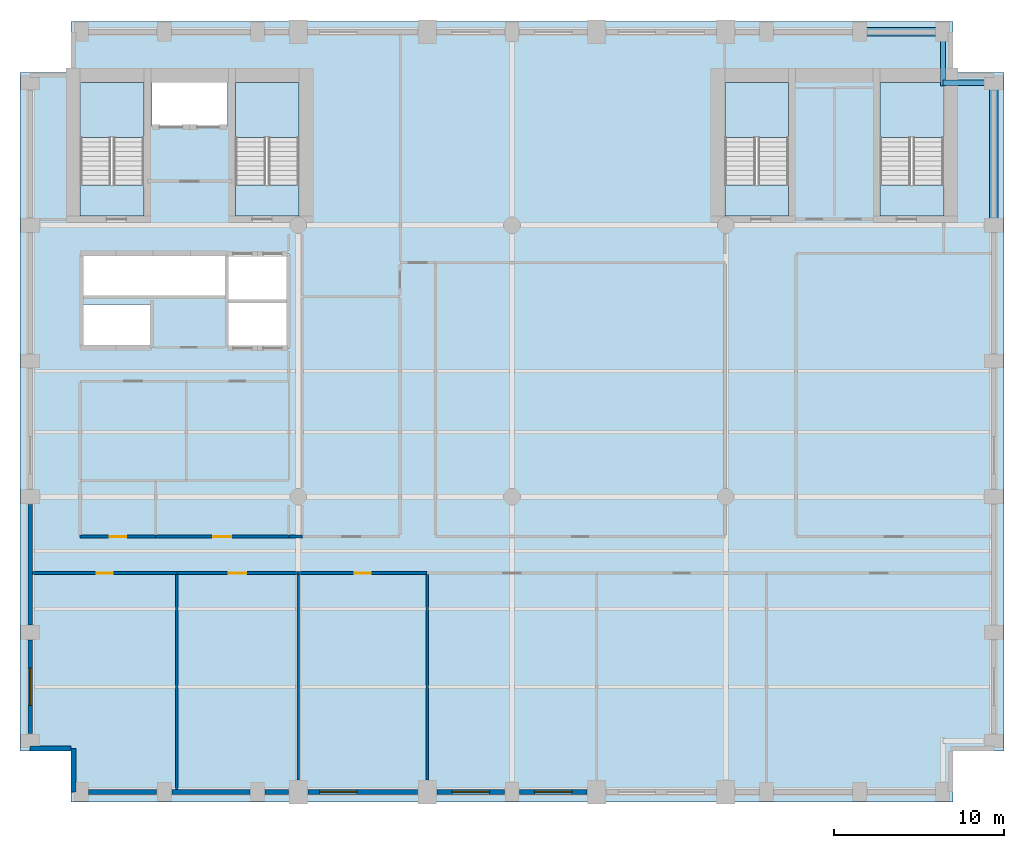
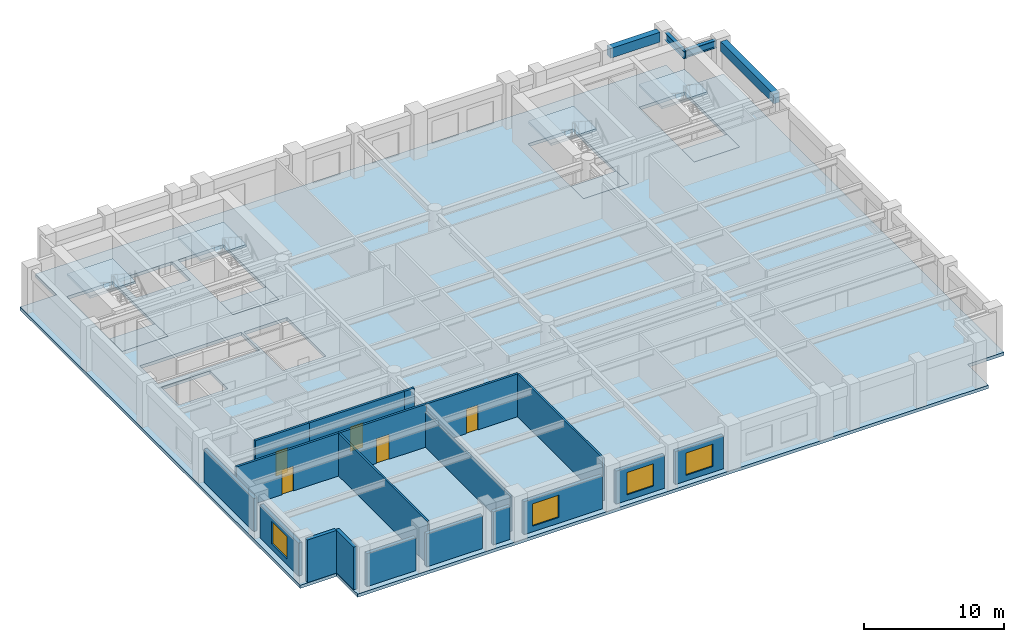
# One storey, part 2 of 8: 19 walls, 9 slabs, 5 doors, 4 beams, 4 windows, 9 openings, 4 elements without a shape of their own.
"""IFC4 building model written with IfcOpenShell, lengths in metres."""

import ifcopenshell
import ifcopenshell.guid

model = None  # the IFC model being written
_history = None  # IfcOwnerHistory: only IFC2X3 demands one
_inside = {}  # id of a spatial element -> (the spatial element, [elements in it])
_under = {}  # id of a project, library or spatial element -> (it, [spatial elements below it])
_declared = {}  # id of a project -> (the project, [libraries it declares])
_typed = {}  # id of a type object -> (the type object, [elements of that type])
_made_of = {}  # id of a material, layer set ... -> (it, [elements and type objects made of it])


def new_model(schema):
    """Start an empty IFC model of exactly this schema.

    Asked for "IFC4X3", IfcOpenShell would pick the latest addendum, in which some entities
    have other attributes; the version numbers below select the first issue.
    IFC2X3 requires an IfcOwnerHistory on every rooted entity: one is made here for all.
    """
    global model, _history
    if schema == "IFC4X3":
        model = ifcopenshell.file(schema_version=(4, 3, 0, 0))
    else:
        model = ifcopenshell.file(schema=schema)
    _inside.clear()
    _under.clear()
    _declared.clear()
    _typed.clear()
    _made_of.clear()
    _history = None
    if model.schema == "IFC2X3":
        org = make("IfcOrganization", Name="unknown")
        user = make(
            "IfcPersonAndOrganization",
            ThePerson=make("IfcPerson", FamilyName="unknown"),
            TheOrganization=org,
        )
        app = make(
            "IfcApplication",
            ApplicationDeveloper=org,
            Version="unknown",
            ApplicationFullName="unknown",
            ApplicationIdentifier="unknown",
        )
        _history = make(
            "IfcOwnerHistory",
            OwningUser=user,
            OwningApplication=app,
            ChangeAction="ADDED",
            CreationDate=0,
        )
    return model


def make(cls, **values):
    """One entity of the class cls with the attributes given. An attribute that is None is left unset."""
    return model.create_entity(
        cls, **{name: value for name, value in values.items() if value is not None}
    )


def rooted(cls, **values):
    """An entity with a GlobalId (a new one), such as an element, a storey or a relation."""
    return make(cls, GlobalId=ifcopenshell.guid.new(), OwnerHistory=_history, **values)


def si_unit(unit_type, name, prefix=None):
    """IfcSIUnit, for example si_unit("LENGTHUNIT", "METRE", prefix="MILLI")."""
    return make("IfcSIUnit", UnitType=unit_type, Prefix=prefix, Name=name)


def assignment(units):
    """IfcUnitAssignment: the units of a project."""
    return None if units is None else make("IfcUnitAssignment", Units=units)


def point(xyz):
    """IfcCartesianPoint."""
    return None if xyz is None else make("IfcCartesianPoint", Coordinates=xyz)


def direction(xyz):
    """IfcDirection."""
    return None if xyz is None else make("IfcDirection", DirectionRatios=xyz)


def frame(location, z_axis=None, x_axis=None):
    """IfcAxis2Placement3D, a coordinate frame: its origin and axes. An axis left out is left unset."""
    return make(
        "IfcAxis2Placement3D",
        Location=point(location),
        Axis=direction(z_axis),
        RefDirection=direction(x_axis),
    )


def frame_2d(location, x_axis=None):
    """IfcAxis2Placement2D, a coordinate frame in the plane: its origin and x axis."""
    return make(
        "IfcAxis2Placement2D", Location=point(location), RefDirection=direction(x_axis)
    )


def origin():
    """The frame at (0, 0, 0) with its axes left unset."""
    return frame((0.0, 0.0, 0.0))


def origin_2d():
    """The frame at (0, 0) in the plane with its x axis left unset."""
    return frame_2d((0.0, 0.0))


def place(relative_to, where):
    """IfcLocalPlacement: puts the frame where relative to a parent placement (None: the world)."""
    return make(
        "IfcLocalPlacement", PlacementRelTo=relative_to, RelativePlacement=where
    )


def context(
    kind, dimensions, precision=None, world=None, true_north=None, identifier=None
):
    """IfcGeometricRepresentationContext, for example the 3D "Model" context."""
    return make(
        "IfcGeometricRepresentationContext",
        ContextIdentifier=identifier,
        ContextType=kind,
        CoordinateSpaceDimension=dimensions,
        Precision=precision,
        WorldCoordinateSystem=world,
        TrueNorth=true_north,
    )


def subcontext(parent, identifier, kind, view, scale=None):
    """IfcGeometricRepresentationSubContext, for example "Body" below "Model"."""
    return make(
        "IfcGeometricRepresentationSubContext",
        ContextIdentifier=identifier,
        ContextType=kind,
        ParentContext=parent,
        TargetScale=scale,
        TargetView=view,
    )


def project(units=None, contexts=None):
    """IfcProject with its units and contexts."""
    return rooted(
        "IfcProject",
        Name="project",
        RepresentationContexts=contexts,
        UnitsInContext=assignment(units),
    )


def spatial(cls, under=None, at=None, **own):
    """A site, building, storey or space (cls), placed at a placement, below another one or the project."""
    s = rooted(cls, ObjectPlacement=at, **own)
    if under is not None:
        _under.setdefault(under.id(), (under, []))[1].append(s)
    return s


def polyline(points):
    """IfcPolyline through the points."""
    return make("IfcPolyline", Points=[point(p) for p in points])


def profile(cls, at=None, kind="AREA", **sizes):
    """A parametric profile (cls). Its sizes go by their IFC names, for example OverallWidth=200.0."""
    return make(cls, ProfileType=kind, Position=at, **sizes)


def rectangle(**sizes):
    """IfcRectangleProfileDef."""
    return profile("IfcRectangleProfileDef", **sizes)


def i_section(**sizes):
    """IfcIShapeProfileDef."""
    return profile("IfcIShapeProfileDef", **sizes)


def outline(outer, holes=None, kind="AREA"):
    """IfcArbitraryClosedProfileDef: a profile drawn as a closed curve; with holes, ...WithVoids."""
    if holes is None:
        return make("IfcArbitraryClosedProfileDef", ProfileType=kind, OuterCurve=outer)
    return make(
        "IfcArbitraryProfileDefWithVoids",
        ProfileType=kind,
        OuterCurve=outer,
        InnerCurves=holes,
    )


def extrude(swept, where, along, depth):
    """IfcExtrudedAreaSolid: the profile swept, set in the frame where, extruded along a direction by depth."""
    return make(
        "IfcExtrudedAreaSolid",
        SweptArea=swept,
        Position=where,
        ExtrudedDirection=direction(along),
        Depth=depth,
    )


def shape(context_of_items, identifier, shape_type, items):
    """IfcShapeRepresentation: the items that make up one representation, for example the "Body"."""
    return make(
        "IfcShapeRepresentation",
        ContextOfItems=context_of_items,
        RepresentationIdentifier=identifier,
        RepresentationType=shape_type,
        Items=items,
    )


def material(Name=None, Category=None):
    """IfcMaterial."""
    return make("IfcMaterial", Name=Name, Category=Category)


def layer(
    of_material, thickness, ventilated=None, Name=None, Category=None, Priority=None
):
    """IfcMaterialLayer: one layer of a wall or slab, of a material (None: an air gap)."""
    return make(
        "IfcMaterialLayer",
        Material=of_material,
        LayerThickness=thickness,
        IsVentilated=ventilated,
        Name=Name,
        Category=Category,
        Priority=Priority,
    )


def layer_set(layers, Name=None):
    """IfcMaterialLayerSet."""
    return make("IfcMaterialLayerSet", MaterialLayers=layers, LayerSetName=Name)


def material_profile(
    of_material, cross_section, Name=None, Category=None, Priority=None
):
    """IfcMaterialProfile: a cross section and its material."""
    return make(
        "IfcMaterialProfile",
        Name=Name,
        Material=of_material,
        Profile=cross_section,
        Priority=Priority,
        Category=Category,
    )


def profile_set(profiles, Name=None, composite=None):
    """IfcMaterialProfileSet."""
    return make(
        "IfcMaterialProfileSet",
        Name=Name,
        MaterialProfiles=profiles,
        CompositeProfile=composite,
    )


def made_of(thing, what):
    """Note that an element or type object is made of a material, layer set ...; save() writes the relation."""
    if what is not None:
        _made_of.setdefault(what.id(), (what, []))[1].append(thing)
    return thing


def type_object(cls, material=None, **own):
    """A type object (cls), such as IfcWallType, which elements share."""
    return made_of(rooted(cls, **own), material)


def element(
    cls,
    number,
    at=None,
    inside=None,
    cuts=None,
    type_object=None,
    material=None,
    context=None,
    identifier="Body",
    shape_type=None,
    held_by="IfcProductDefinitionShape",
    body=None,
    shapes=None,
    **own,
):
    """One element of the class cls, such as IfcWall. Its Tag is "e" and its number.

    at: its placement. inside: the storey or other place that contains it. cuts: it is an
    opening in that element (IfcRelVoidsElement). A single representation is given by context,
    identifier, shape_type and body (its items); several are given by shapes. held_by: the class
    of the entity that holds the representations. save() writes the other relations.
    """
    e = rooted(cls, Tag="e%d" % number, ObjectPlacement=at, **own)
    if body is not None:
        shapes = [shape(context, identifier, shape_type, body)]
    if shapes is not None:
        e.Representation = make(held_by, Representations=shapes)
    if inside is not None:
        _inside.setdefault(inside.id(), (inside, []))[1].append(e)
    if cuts is not None:
        rooted(
            "IfcRelVoidsElement", RelatingBuildingElement=cuts, RelatedOpeningElement=e
        )
    if type_object is not None:
        _typed.setdefault(type_object.id(), (type_object, []))[1].append(e)
    return made_of(e, material)


def fill(opening, filler):
    """IfcRelFillsElement: the door or window that sits in an opening."""
    return rooted(
        "IfcRelFillsElement",
        RelatingOpeningElement=opening,
        RelatedBuildingElement=filler,
    )


def aggregate(whole, parts):
    """IfcRelAggregates: a whole, such as a stair, and the parts it consists of."""
    return rooted("IfcRelAggregates", RelatingObject=whole, RelatedObjects=parts)


def save(model, path):
    """Write the relations noted so far, then the file.

    IfcRelAggregates (storeys below a building ...), IfcRelContainedInSpatialStructure (elements
    in a storey), IfcRelDefinesByType, IfcRelAssociatesMaterial and IfcRelDeclares: one each for
    every whole, place, type object, material and project.
    """
    for whole, parts in _under.values():
        aggregate(whole, parts)
    for where, things in _inside.values():
        rooted(
            "IfcRelContainedInSpatialStructure",
            RelatedElements=things,
            RelatingStructure=where,
        )
    for kind, things in _typed.values():
        rooted("IfcRelDefinesByType", RelatedObjects=things, RelatingType=kind)
    for what, things in _made_of.values():
        rooted("IfcRelAssociatesMaterial", RelatedObjects=things, RelatingMaterial=what)
    for by, libraries in _declared.values():
        rooted("IfcRelDeclares", RelatingContext=by, RelatedDefinitions=libraries)
    model.write(path)


model = new_model("IFC4")

# Units and contexts
model_context = context("Model", 3, precision=1e-05, world=origin(), true_north=direction((0.0, 1.0)))
body_context = subcontext(model_context, "Body", "Model", "MODEL_VIEW")
ifc_project = project(units=[si_unit("LENGTHUNIT", "METRE"), si_unit("AREAUNIT", "SQUARE_METRE"), si_unit("VOLUMEUNIT", "CUBIC_METRE"), si_unit("PLANEANGLEUNIT", "RADIAN"), si_unit("MASSUNIT", "GRAM", prefix="KILO")], contexts=[model_context])

# Site, building, storey
site_placement = place(None, origin())
site = spatial("IfcSite", under=ifc_project, at=site_placement, CompositionType="ELEMENT")
building_placement = place(site_placement, origin())
building = spatial("IfcBuilding", under=site, at=building_placement, Name="Sulina Concourse Tower", CompositionType="ELEMENT")
storey_placement = place(building_placement, frame((0.0, 0.0, 140.60009765625)))
storey = spatial("IfcBuildingStorey", under=building, at=storey_placement, Name="L34", CompositionType="ELEMENT", Elevation=140.60009765625)

# Beams
ifc_material_1 = material(Name="Steel S355", Category="steel")
ifc_material_profile_1 = material_profile(ifc_material_1, i_section(OverallWidth=0.300048828125, OverallDepth=0.64990234375, WebThickness=0.01611328125, FlangeThickness=0.031005859375, at=origin_2d()), Name="HE 650 B")
ifc_profile_set_1 = profile_set([ifc_material_profile_1], Name="Steel S355")
beam_type_1 = type_object("IfcBeamType", Name="Floor Primary Girder Zone 2 HE650B", PredefinedType="BEAM", material=ifc_profile_set_1)
beam_1_placement = place(storey_placement, frame((54.39990234375, 42.39990234375, 3.39990234375), z_axis=(1.0, 0.0, 0.0), x_axis=(0.0, 1.0, 0.0)))
element("IfcBeam", 1, at=beam_1_placement, inside=storey, type_object=beam_type_1, Name="TIE-NE-L34", PredefinedType="BEAM", context=body_context, shape_type="SweptSolid", body=[
    extrude(i_section(OverallWidth=0.300048828125, OverallDepth=0.64990234375, WebThickness=0.01611328125, FlangeThickness=0.031005859375, at=origin_2d()), origin(), (0.0, 0.0, 1.0), 2.59521484375),
])
beam_2_placement = place(storey_placement, frame((54.39990234375, 42.199951171875, 3.39990234375), z_axis=(0.0, 1.0, 0.0), x_axis=(-1.0, 0.0, 0.0)))
element("IfcBeam", 2, at=beam_2_placement, inside=storey, type_object=beam_type_1, Name="TIE-NEN-L34", PredefinedType="BEAM", context=body_context, shape_type="SweptSolid", body=[
    extrude(i_section(OverallWidth=0.300048828125, OverallDepth=0.64990234375, WebThickness=0.01611328125, FlangeThickness=0.031005859375, at=origin_2d()), origin(), (0.0, 0.0, 1.0), 2.795166015625),
])
ifc_material_2 = material(Name="Precast concrete C50/60", Category="concrete")
ifc_material_profile_2 = material_profile(ifc_material_2, rectangle(XDim=0.5, YDim=0.85009765625, at=origin_2d()), Name="RC 500x850")
ifc_profile_set_2 = profile_set([ifc_material_profile_2], Name="Precast concrete C50/60")
beam_type_2 = type_object("IfcBeamType", Name="Lower Precast Spandrel Edge Beam 500x850", PredefinedType="BEAM", material=ifc_profile_set_2)
beam_3_placement = place(storey_placement, frame((49.905029296875, 45.39990234375, 3.2998046875), z_axis=(1.0, 0.0, 0.0), x_axis=(0.0, 1.0, 0.0)))
element("IfcBeam", 3, at=beam_3_placement, inside=storey, type_object=beam_type_2, Name="SP-N10-L34", PredefinedType="BEAM", context=body_context, shape_type="SweptSolid", body=[
    extrude(rectangle(XDim=0.5, YDim=0.85009765625, at=origin_2d()), origin(), (0.0, 0.0, 1.0), 4.090087890625),
])
beam_4_placement = place(storey_placement, frame((57.39990234375, 34.405029296875, 3.2998046875), z_axis=(0.0, 1.0, 0.0), x_axis=(-1.0, 0.0, 0.0)))
element("IfcBeam", 4, at=beam_4_placement, inside=storey, type_object=beam_type_2, Name="SP-E5-L34", PredefinedType="BEAM", context=body_context, shape_type="SweptSolid", body=[
    extrude(rectangle(XDim=0.5, YDim=0.85009765625, at=origin_2d()), origin(), (0.0, 0.0, 1.0), 7.590087890625),
])

# Slabs
ifc_material_3 = material(Name="Concrete C50/60", Category="concrete")
ifc_layer_1 = layer(ifc_material_3, 0.27490234375)
ifc_layer_set_1 = layer_set([ifc_layer_1], Name="Concrete C50/60")
slab_type_1 = type_object("IfcSlabType", Name="Mid-Rise Composite Floor Slab 275mm", PredefinedType="FLOOR", material=ifc_layer_set_1)
slab_1_placement = place(storey_placement, frame((0.0, 0.0, -0.275146484375)))
element("IfcSlab", 5, at=slab_1_placement, inside=storey, type_object=slab_type_1, Name="L34 structural floor slab", PredefinedType="FLOOR", context=body_context, shape_type="SweptSolid", body=[
    extrude(outline(polyline([(3.0, 0.0), (55.0, 0.0), (55.0, 3.0), (58.0, 3.0), (58.0, 43.0), (55.0, 43.0), (55.0, 46.0), (3.0, 46.0), (3.0, 43.0), (0.0, 43.0), (0.0, 3.0), (3.0, 3.0), (3.0, 0.0)]), holes=[polyline([(7.31005859375, 34.550048828125), (7.31005859375, 42.429931640625), (3.550048828125, 42.429931640625), (3.550048828125, 34.550048828125), (7.31005859375, 34.550048828125)]), polyline([(16.449951171875, 34.550048828125), (16.449951171875, 42.429931640625), (12.68994140625, 42.429931640625), (12.68994140625, 34.550048828125), (16.449951171875, 34.550048828125)]), polyline([(45.31005859375, 34.550048828125), (45.31005859375, 42.429931640625), (41.550048828125, 42.429931640625), (41.550048828125, 34.550048828125), (45.31005859375, 34.550048828125)]), polyline([(54.449951171875, 34.550048828125), (54.449951171875, 42.429931640625), (50.68994140625, 42.429931640625), (50.68994140625, 34.550048828125), (54.449951171875, 34.550048828125)]), polyline([(7.780029296875, 39.830078125), (12.219970703125, 39.830078125), (12.219970703125, 42.449951171875), (7.780029296875, 42.449951171875), (7.780029296875, 39.830078125)]), polyline([(3.739990234375, 26.780029296875), (7.77001953125, 26.780029296875), (7.77001953125, 29.320068359375), (3.739990234375, 29.320068359375), (3.739990234375, 26.780029296875)]), polyline([(3.739990234375, 29.780029296875), (12.10009765625, 29.780029296875), (12.10009765625, 32.3701171875), (3.739990234375, 32.3701171875), (3.739990234375, 29.780029296875)]), polyline([(12.280029296875, 26.780029296875), (15.85009765625, 26.780029296875), (15.85009765625, 32.320068359375), (12.280029296875, 32.320068359375), (12.280029296875, 26.780029296875)])]), origin(), (0.0, 0.0, 1.0), 0.275146484375),
])
ifc_material_4 = material(Name="Concrete C50/60", Category="concrete")
ifc_layer_2 = layer(ifc_material_4, 0.199951171875)
ifc_layer_set_2 = layer_set([ifc_layer_2], Name="Concrete C50/60")
slab_type_2 = type_object("IfcSlabType", Name="Primary Core Stair Landing Slab 200mm", PredefinedType="LANDING", material=ifc_layer_set_2)
slab_2_placement = place(storey_placement, frame((0.0, 0.0, -0.2001953125)))
element("IfcSlab", 6, at=slab_2_placement, inside=storey, type_object=slab_type_2, Name="L34 ST-1 floor landing slab", PredefinedType="LANDING", context=body_context, shape_type="SweptSolid", body=[
    extrude(outline(polyline([(7.31005859375, 34.550048828125), (7.31005859375, 36.375), (3.550048828125, 36.375), (3.550048828125, 34.550048828125), (7.31005859375, 34.550048828125)])), origin(), (0.0, 0.0, 1.0), 0.2001953125),
])
slab_3_placement = place(storey_placement, frame((0.0, 0.0, -0.2001953125)))
element("IfcSlab", 7, at=slab_3_placement, inside=storey, type_object=slab_type_2, Name="L34 ST-2 floor landing slab", PredefinedType="LANDING", context=body_context, shape_type="SweptSolid", body=[
    extrude(outline(polyline([(16.449951171875, 34.550048828125), (16.449951171875, 36.375), (12.68994140625, 36.375), (12.68994140625, 34.550048828125), (16.449951171875, 34.550048828125)])), origin(), (0.0, 0.0, 1.0), 0.2001953125),
])
slab_4_placement = place(storey_placement, frame((0.0, 0.0, -0.2001953125)))
element("IfcSlab", 8, at=slab_4_placement, inside=storey, type_object=slab_type_2, Name="L34 ST-3 floor landing slab", PredefinedType="LANDING", context=body_context, shape_type="SweptSolid", body=[
    extrude(outline(polyline([(45.31005859375, 34.550048828125), (45.31005859375, 36.375), (41.550048828125, 36.375), (41.550048828125, 34.550048828125), (45.31005859375, 34.550048828125)])), origin(), (0.0, 0.0, 1.0), 0.2001953125),
])
slab_5_placement = place(storey_placement, frame((0.0, 0.0, -0.2001953125)))
element("IfcSlab", 9, at=slab_5_placement, inside=storey, type_object=slab_type_2, Name="L34 ST-4 floor landing slab", PredefinedType="LANDING", context=body_context, shape_type="SweptSolid", body=[
    extrude(outline(polyline([(54.449951171875, 34.550048828125), (54.449951171875, 36.375), (50.68994140625, 36.375), (50.68994140625, 34.550048828125), (54.449951171875, 34.550048828125)])), origin(), (0.0, 0.0, 1.0), 0.2001953125),
])

# Stair, slab
ifc_material_5 = material(Name="Concrete C50/60", Category="concrete")
stair_type_1 = type_object("IfcStairType", Name="Primary Core Dog-Leg Exit Stair 1800mm", PredefinedType="HALF_TURN_STAIR", material=ifc_material_5)
stair_1_placement = place(storey_placement, origin())
stair_1 = element("IfcStair", 10, at=stair_1_placement, inside=storey, type_object=stair_type_1, Name="L34 ST-1", PredefinedType="HALF_TURN_STAIR")
slab_6_placement = place(storey_placement, frame((0.0, 0.0, 1.7998046875)))
slab_6 = element("IfcSlab", 11, at=slab_6_placement, type_object=slab_type_2, Name="ST-1 landing 1", PredefinedType="LANDING", context=body_context, shape_type="SweptSolid", body=[
    extrude(outline(polyline([(7.304931640625, 39.175048828125), (7.304931640625, 42.425048828125), (3.554931640625, 42.425048828125), (3.554931640625, 39.175048828125), (7.304931640625, 39.175048828125)])), origin(), (0.0, 0.0, 1.0), 0.2001953125),
])
aggregate(stair_1, [slab_6])

stair_2_placement = place(storey_placement, origin())
stair_2 = element("IfcStair", 12, at=stair_2_placement, inside=storey, type_object=stair_type_1, Name="L34 ST-2", PredefinedType="HALF_TURN_STAIR")
slab_7_placement = place(storey_placement, frame((0.0, 0.0, 1.7998046875)))
slab_7 = element("IfcSlab", 13, at=slab_7_placement, type_object=slab_type_2, Name="ST-2 landing 1", PredefinedType="LANDING", context=body_context, shape_type="SweptSolid", body=[
    extrude(outline(polyline([(16.445068359375, 39.175048828125), (16.445068359375, 42.425048828125), (12.695068359375, 42.425048828125), (12.695068359375, 39.175048828125), (16.445068359375, 39.175048828125)])), origin(), (0.0, 0.0, 1.0), 0.2001953125),
])
aggregate(stair_2, [slab_7])

ifc_material_6 = material(Name="Concrete C50/60", Category="concrete")
stair_type_2 = type_object("IfcStairType", Name="Portal & Podium Core Exit Stair 1820mm", PredefinedType="HALF_TURN_STAIR", material=ifc_material_6)
stair_3_placement = place(storey_placement, origin())
stair_3 = element("IfcStair", 14, at=stair_3_placement, inside=storey, type_object=stair_type_2, Name="L34 ST-3", PredefinedType="HALF_TURN_STAIR")
slab_8_placement = place(storey_placement, frame((0.0, 0.0, 1.7998046875)))
slab_8 = element("IfcSlab", 15, at=slab_8_placement, type_object=slab_type_2, Name="ST-3 landing 1", PredefinedType="LANDING", context=body_context, shape_type="SweptSolid", body=[
    extrude(outline(polyline([(45.304931640625, 39.175048828125), (45.304931640625, 42.425048828125), (41.554931640625, 42.425048828125), (41.554931640625, 39.175048828125), (45.304931640625, 39.175048828125)])), origin(), (0.0, 0.0, 1.0), 0.2001953125),
])
aggregate(stair_3, [slab_8])

stair_4_placement = place(storey_placement, origin())
stair_4 = element("IfcStair", 16, at=stair_4_placement, inside=storey, type_object=stair_type_2, Name="L34 ST-4", PredefinedType="HALF_TURN_STAIR")
slab_9_placement = place(storey_placement, frame((0.0, 0.0, 1.7998046875)))
slab_9 = element("IfcSlab", 17, at=slab_9_placement, type_object=slab_type_2, Name="ST-4 landing 1", PredefinedType="LANDING", context=body_context, shape_type="SweptSolid", body=[
    extrude(outline(polyline([(54.445068359375, 39.175048828125), (54.445068359375, 42.425048828125), (50.695068359375, 42.425048828125), (50.695068359375, 39.175048828125), (54.445068359375, 39.175048828125)])), origin(), (0.0, 0.0, 1.0), 0.2001953125),
])
aggregate(stair_4, [slab_9])

# Walls
ifc_material_7 = material(Name="Gypsum board on steel stud", Category="steel")
ifc_layer_3 = layer(ifc_material_7, 0.14990234375)
ifc_layer_set_3 = layer_set([ifc_layer_3], Name="Gypsum board on steel stud")
wall_type_1 = type_object("IfcWallType", Name="Inter-Tenancy Acoustic Partition 150mm", PredefinedType="PARTITIONING", material=ifc_layer_set_3)
wall_1_placement = place(storey_placement, frame((9.239990234375, 0.739990234375, 0.0), z_axis=(0.0, 0.0, 1.0), x_axis=(0.0, 1.0, 0.0)))
element("IfcWall", 18, at=wall_1_placement, inside=storey, type_object=wall_type_1, Name="L34 interior partition 030", PredefinedType="PARTITIONING", context=body_context, shape_type="SweptSolid", body=[
    extrude(rectangle(XDim=12.669921875, YDim=0.14990234375, at=frame_2d((6.3349609375, 0.0))), origin(), (0.0, 0.0, 1.0), 3.724853515625),
])
wall_2_placement = place(storey_placement, frame((16.39990234375, 1.300048828125, 0.0), z_axis=(0.0, 0.0, 1.0), x_axis=(0.0, 1.0, 0.0)))
element("IfcWall", 19, at=wall_2_placement, inside=storey, type_object=wall_type_1, Name="L34 interior partition 036", PredefinedType="PARTITIONING", context=body_context, shape_type="SweptSolid", body=[
    extrude(rectangle(XDim=12.10986328125, YDim=0.14990234375, at=frame_2d((6.054931640625, 0.0))), origin(), (0.0, 0.0, 1.0), 3.06982421875),
])
wall_3_placement = place(storey_placement, frame((24.0, 1.300048828125, 0.0), z_axis=(0.0, 0.0, 1.0), x_axis=(0.0, 1.0, 0.0)))
element("IfcWall", 20, at=wall_3_placement, inside=storey, type_object=wall_type_1, Name="L34 interior partition 043", PredefinedType="PARTITIONING", context=body_context, shape_type="SweptSolid", body=[
    extrude(rectangle(XDim=12.10986328125, YDim=0.14990234375, at=frame_2d((6.054931640625, 0.0))), origin(), (0.0, 0.0, 1.0), 3.724853515625),
])

# Wall, opening, door
ifc_material_8 = material(Name="Gypsum board on steel stud", Category="steel")
ifc_layer_4 = layer(ifc_material_8, 0.179931640625)
ifc_layer_set_4 = layer_set([ifc_layer_4], Name="Gypsum board on steel stud")
wall_type_2 = type_object("IfcWallType", Name="Protected Corridor & Riser Partition 180mm", PredefinedType="PARTITIONING", material=ifc_layer_set_4)
wall_4_placement = place(storey_placement, frame((0.739990234375, 13.5, 0.0), z_axis=(0.0, 0.0, 1.0), x_axis=(1.0, 0.0, 0.0)))
wall_4 = element("IfcWall", 21, at=wall_4_placement, inside=storey, type_object=wall_type_2, Name="L34 interior partition 001", PredefinedType="PARTITIONING", context=body_context, shape_type="SweptSolid", body=[
    extrude(rectangle(XDim=8.5, YDim=0.179931640625, at=frame_2d((4.25, 0.0))), origin(), (0.0, 0.0, 1.0), 3.724853515625),
])
opening_1_placement = place(wall_4_placement, frame((3.77490234375, 0.0, 0.0)))
opening_1 = element("IfcOpeningElement", 22, at=opening_1_placement, cuts=wall_4, Name="Opening DR-19", PredefinedType="OPENING", context=body_context, shape_type="SweptSolid", body=[
    extrude(rectangle(XDim=0.949951171875, YDim=2.14990234375, at=frame_2d((0.47509765625, 1.074951171875))), frame((0.0, 0.099853515625, 0.0), z_axis=(0.0, -1.0, 0.0), x_axis=(1.0, 0.0, 0.0)), (0.0, 0.0, 1.0), 0.199951171875),
])
ifc_material_9 = material(Name="Oak-veneered acoustic timber leaf", Category="wood")
ifc_layer_5 = layer(ifc_material_9, 0.050048828125)
ifc_layer_set_5 = layer_set([ifc_layer_5], Name="Oak-veneered acoustic timber leaf")
door_type_1 = type_object("IfcDoorType", Name="Cellular Office & Meeting Door 950x2150", OperationType="NOTDEFINED", PredefinedType="DOOR", material=ifc_layer_set_5)
door_1_placement = place(opening_1_placement, origin())
door_1 = element("IfcDoor", 23, at=door_1_placement, inside=storey, type_object=door_type_1, Name="L34 interior door L34-S01", OperationType="SINGLE_SWING_RIGHT", OverallHeight=2.14990234375, OverallWidth=0.949951171875, PredefinedType="DOOR", context=body_context, shape_type="SweptSolid", body=[
    extrude(rectangle(XDim=0.949951171875, YDim=2.14990234375, at=frame_2d((0.47509765625, 1.074951171875))), frame((0.0, 0.02490234375, 0.0), z_axis=(0.0, -1.0, 0.0), x_axis=(1.0, 0.0, 0.0)), (0.0, 0.0, 1.0), 0.050048828125),
])
fill(opening_1, door_1)

wall_5_placement = place(storey_placement, frame((9.239990234375, 13.5, 0.0), z_axis=(0.0, 0.0, 1.0), x_axis=(1.0, 0.0, 0.0)))
wall_5 = element("IfcWall", 24, at=wall_5_placement, inside=storey, type_object=wall_type_2, Name="L34 interior partition 002", PredefinedType="PARTITIONING", context=body_context, shape_type="SweptSolid", body=[
    extrude(rectangle(XDim=7.159912109375, YDim=0.179931640625, at=frame_2d((3.580078125, 0.0))), origin(), (0.0, 0.0, 1.0), 3.724853515625),
])
opening_2_placement = place(wall_5_placement, frame((3.054931640625, 0.0, 0.0)))
opening_2 = element("IfcOpeningElement", 25, at=opening_2_placement, cuts=wall_5, Name="Opening DR-37", PredefinedType="OPENING", context=body_context, shape_type="SweptSolid", body=[
    extrude(rectangle(XDim=1.050048828125, YDim=2.14990234375, at=frame_2d((0.52490234375, 1.074951171875))), frame((0.0, 0.099853515625, 0.0), z_axis=(0.0, -1.0, 0.0), x_axis=(1.0, 0.0, 0.0)), (0.0, 0.0, 1.0), 0.199951171875),
])
ifc_material_10 = material(Name="Oak-veneered fire door leaf")
ifc_layer_6 = layer(ifc_material_10, 0.050048828125)
ifc_layer_set_6 = layer_set([ifc_layer_6], Name="Oak-veneered fire door leaf")
door_type_2 = type_object("IfcDoorType", Name="Tenant Suite Entrance Fire Door 1050x2150", OperationType="NOTDEFINED", PredefinedType="DOOR", material=ifc_layer_set_6)
door_2_placement = place(opening_2_placement, origin())
door_2 = element("IfcDoor", 26, at=door_2_placement, inside=storey, type_object=door_type_2, Name="L34 interior door L34-S02", OperationType="SINGLE_SWING_LEFT", OverallHeight=2.14990234375, OverallWidth=1.050048828125, PredefinedType="DOOR", context=body_context, shape_type="SweptSolid", body=[
    extrude(rectangle(XDim=1.050048828125, YDim=2.14990234375, at=frame_2d((0.52490234375, 1.074951171875))), frame((0.0, 0.02490234375, 0.0), z_axis=(0.0, -1.0, 0.0), x_axis=(1.0, 0.0, 0.0)), (0.0, 0.0, 1.0), 0.050048828125),
])
fill(opening_2, door_2)

wall_6_placement = place(storey_placement, frame((16.39990234375, 13.5, 0.0), z_axis=(0.0, 0.0, 1.0), x_axis=(1.0, 0.0, 0.0)))
wall_6 = element("IfcWall", 27, at=wall_6_placement, inside=storey, type_object=wall_type_2, Name="L34 interior partition 003", PredefinedType="PARTITIONING", context=body_context, shape_type="SweptSolid", body=[
    extrude(rectangle(XDim=7.60009765625, YDim=0.179931640625, at=frame_2d((3.800048828125, 0.0))), origin(), (0.0, 0.0, 1.0), 3.724853515625),
])
opening_3_placement = place(wall_6_placement, frame((3.324951171875, 0.0, 0.0)))
opening_3 = element("IfcOpeningElement", 28, at=opening_3_placement, cuts=wall_6, Name="Opening DR-19", PredefinedType="OPENING", context=body_context, shape_type="SweptSolid", body=[
    extrude(rectangle(XDim=0.949951171875, YDim=2.14990234375, at=frame_2d((0.47509765625, 1.074951171875))), frame((0.0, 0.099853515625, 0.0), z_axis=(0.0, -1.0, 0.0), x_axis=(1.0, 0.0, 0.0)), (0.0, 0.0, 1.0), 0.199951171875),
])
door_3_placement = place(opening_3_placement, origin())
door_3 = element("IfcDoor", 29, at=door_3_placement, inside=storey, type_object=door_type_1, Name="L34 interior door L34-S03", OperationType="SINGLE_SWING_RIGHT", OverallHeight=2.14990234375, OverallWidth=0.949951171875, PredefinedType="DOOR", context=body_context, shape_type="SweptSolid", body=[
    extrude(rectangle(XDim=0.949951171875, YDim=2.14990234375, at=frame_2d((0.47509765625, 1.074951171875))), frame((0.0, 0.02490234375, 0.0), z_axis=(0.0, -1.0, 0.0), x_axis=(1.0, 0.0, 0.0)), (0.0, 0.0, 1.0), 0.050048828125),
])
fill(opening_3, door_3)

wall_7_placement = place(storey_placement, frame((3.550048828125, 15.64990234375, 0.0), z_axis=(0.0, 0.0, 1.0), x_axis=(1.0, 0.0, 0.0)))
wall_7 = element("IfcWall", 30, at=wall_7_placement, inside=storey, type_object=wall_type_2, Name="L34 interior partition 007", PredefinedType="PARTITIONING", context=body_context, shape_type="SweptSolid", body=[
    extrude(rectangle(XDim=4.449951171875, YDim=0.179931640625, at=frame_2d((2.22509765625, 0.0))), origin(), (0.0, 0.0, 1.0), 3.724853515625),
])
opening_4_placement = place(wall_7_placement, frame((1.75, 0.0, 0.0)))
opening_4 = element("IfcOpeningElement", 31, at=opening_4_placement, cuts=wall_7, Name="Opening DR-19", PredefinedType="OPENING", context=body_context, shape_type="SweptSolid", body=[
    extrude(rectangle(XDim=0.949951171875, YDim=2.14990234375, at=frame_2d((0.47509765625, 1.074951171875))), frame((0.0, 0.099853515625, 0.0), z_axis=(0.0, -1.0, 0.0), x_axis=(1.0, 0.0, 0.0)), (0.0, 0.0, 1.0), 0.199951171875),
])
door_4_placement = place(opening_4_placement, origin())
door_4 = element("IfcDoor", 32, at=door_4_placement, inside=storey, type_object=door_type_1, Name="L34 interior door L34-WSB-1", OperationType="SINGLE_SWING_RIGHT", OverallHeight=2.14990234375, OverallWidth=0.949951171875, PredefinedType="DOOR", context=body_context, shape_type="SweptSolid", body=[
    extrude(rectangle(XDim=0.949951171875, YDim=2.14990234375, at=frame_2d((0.47509765625, 1.074951171875))), frame((0.0, 0.02490234375, 0.0), z_axis=(0.0, -1.0, 0.0), x_axis=(1.0, 0.0, 0.0)), (0.0, 0.0, 1.0), 0.050048828125),
])
fill(opening_4, door_4)

wall_8_placement = place(storey_placement, frame((8.0, 15.64990234375, 0.0), z_axis=(0.0, 0.0, 1.0), x_axis=(1.0, 0.0, 0.0)))
wall_8 = element("IfcWall", 33, at=wall_8_placement, inside=storey, type_object=wall_type_2, Name="L34 interior partition 008", PredefinedType="PARTITIONING", context=body_context, shape_type="SweptSolid", body=[
    extrude(rectangle(XDim=7.85009765625, YDim=0.179931640625, at=frame_2d((3.925048828125, 0.0))), origin(), (0.0, 0.0, 1.0), 3.724853515625),
])
opening_5_placement = place(wall_8_placement, frame((3.39990234375, 0.0, 0.0)))
opening_5 = element("IfcOpeningElement", 34, at=opening_5_placement, cuts=wall_8, Name="Opening DR-37", PredefinedType="OPENING", context=body_context, shape_type="SweptSolid", body=[
    extrude(rectangle(XDim=1.050048828125, YDim=2.14990234375, at=frame_2d((0.52490234375, 1.074951171875))), frame((0.0, 0.099853515625, 0.0), z_axis=(0.0, -1.0, 0.0), x_axis=(1.0, 0.0, 0.0)), (0.0, 0.0, 1.0), 0.199951171875),
])
door_5_placement = place(opening_5_placement, origin())
door_5 = element("IfcDoor", 35, at=door_5_placement, inside=storey, type_object=door_type_2, Name="L34 interior door L34-WSB-2", OperationType="SINGLE_SWING_LEFT", OverallHeight=2.14990234375, OverallWidth=1.050048828125, PredefinedType="DOOR", context=body_context, shape_type="SweptSolid", body=[
    extrude(rectangle(XDim=1.050048828125, YDim=2.14990234375, at=frame_2d((0.52490234375, 1.074951171875))), frame((0.0, 0.02490234375, 0.0), z_axis=(0.0, -1.0, 0.0), x_axis=(1.0, 0.0, 0.0)), (0.0, 0.0, 1.0), 0.050048828125),
])
fill(opening_5, door_5)

# Walls
wall_9_placement = place(storey_placement, frame((15.85009765625, 15.64990234375, 0.0), z_axis=(0.0, 0.0, 1.0), x_axis=(1.0, 0.0, 0.0)))
element("IfcWall", 36, at=wall_9_placement, inside=storey, type_object=wall_type_2, Name="L34 interior partition 009", PredefinedType="PARTITIONING", context=body_context, shape_type="SweptSolid", body=[
    extrude(rectangle(XDim=0.7998046875, YDim=0.179931640625, at=frame_2d((0.39990234375, 0.0))), origin(), (0.0, 0.0, 1.0), 3.724853515625),
])
ifc_material_11 = material(Name="Precast concrete C50/60", Category="concrete")
ifc_layer_7 = layer(ifc_material_11, 0.280029296875)
ifc_layer_set_7 = layer_set([ifc_layer_7], Name="Precast concrete C50/60")
wall_type_3 = type_object("IfcWallType", Name="Typical Precast Masonry-Frame Facade Wall 280mm", PredefinedType="SOLIDWALL", material=ifc_layer_set_7)
wall_10_placement = place(storey_placement, frame((8.054931640625, 0.60009765625, 0.0), z_axis=(0.0, 0.0, 1.0), x_axis=(-1.0, 0.0, 0.0)))
element("IfcWall", 37, at=wall_10_placement, inside=storey, type_object=wall_type_3, Name="L34 exterior precast wall S1", PredefinedType="SOLIDWALL", context=body_context, shape_type="SweptSolid", body=[
    extrude(rectangle(XDim=4.010009765625, YDim=0.280029296875, at=frame_2d((2.0048828125, 0.0))), origin(), (0.0, 0.0, 1.0), 2.875),
])
wall_11_placement = place(storey_placement, frame((13.554931640625, 0.60009765625, 0.0), z_axis=(0.0, 0.0, 1.0), x_axis=(-1.0, 0.0, 0.0)))
element("IfcWall", 38, at=wall_11_placement, inside=storey, type_object=wall_type_3, Name="L34 exterior precast wall S2", PredefinedType="SOLIDWALL", context=body_context, shape_type="SweptSolid", body=[
    extrude(rectangle(XDim=4.60986328125, YDim=0.280029296875, at=frame_2d((2.304931640625, 0.0))), origin(), (0.0, 0.0, 1.0), 2.875),
])
wall_12_placement = place(storey_placement, frame((15.830078125, 0.60009765625, 0.0), z_axis=(0.0, 0.0, 1.0), x_axis=(-1.0, 0.0, 0.0)))
element("IfcWall", 39, at=wall_12_placement, inside=storey, type_object=wall_type_3, Name="L34 exterior precast wall S3", PredefinedType="SOLIDWALL", context=body_context, shape_type="SweptSolid", body=[
    extrude(rectangle(XDim=1.385009765625, YDim=0.280029296875, at=frame_2d((0.6923828125, 0.0))), origin(), (0.0, 0.0, 1.0), 2.875),
])

# Wall, opening, window
wall_13_placement = place(storey_placement, frame((23.429931640625, 0.60009765625, 0.0), z_axis=(0.0, 0.0, 1.0), x_axis=(-1.0, 0.0, 0.0)))
wall_13 = element("IfcWall", 40, at=wall_13_placement, inside=storey, type_object=wall_type_3, Name="L34 exterior precast wall S4", PredefinedType="SOLIDWALL", context=body_context, shape_type="SweptSolid", body=[
    extrude(rectangle(XDim=6.4599609375, YDim=0.280029296875, at=frame_2d((3.22998046875, 0.0))), origin(), (0.0, 0.0, 1.0), 2.875),
])
opening_6_placement = place(wall_13_placement, frame((3.5732421875, 0.0, 0.5)))
opening_6 = element("IfcOpeningElement", 41, at=opening_6_placement, cuts=wall_13, Name="Opening WN-76", PredefinedType="OPENING", context=body_context, shape_type="SweptSolid", body=[
    extrude(rectangle(XDim=2.199951171875, YDim=1.949951171875, at=frame_2d((1.10009765625, 0.97509765625))), frame((0.0, 0.14990234375, 0.0), z_axis=(0.0, -1.0, 0.0), x_axis=(1.0, 0.0, 0.0)), (0.0, 0.0, 1.0), 0.300048828125),
])
ifc_material_12 = material(Name="Low-E solar double glazing in bronze aluminium", Category="aluminium")
window_type = type_object("IfcWindowType", Name="Recessed Spandrel Window 2200x1950", PartitioningType="DOUBLE_PANEL_VERTICAL", PredefinedType="WINDOW", material=ifc_material_12)
window_1_placement = place(opening_6_placement, origin())
window_1 = element("IfcWindow", 42, at=window_1_placement, inside=storey, type_object=window_type, Name="L34 punched window S4-1", OverallHeight=1.949951171875, OverallWidth=2.199951171875, PartitioningType="SINGLE_PANEL", PredefinedType="WINDOW", context=body_context, shape_type="SweptSolid", body=[
    extrude(rectangle(XDim=2.199951171875, YDim=1.949951171875, at=frame_2d((1.10009765625, 0.97509765625))), frame((0.0, 0.030029296875, 0.0), z_axis=(0.0, -1.0, 0.0), x_axis=(1.0, 0.0, 0.0)), (0.0, 0.0, 1.0), 0.06005859375),
])
fill(opening_6, window_1)

wall_14_placement = place(storey_placement, frame((28.554931640625, 0.60009765625, 0.0), z_axis=(0.0, 0.0, 1.0), x_axis=(-1.0, 0.0, 0.0)))
wall_14 = element("IfcWall", 43, at=wall_14_placement, inside=storey, type_object=wall_type_3, Name="L34 exterior precast wall S5", PredefinedType="SOLIDWALL", context=body_context, shape_type="SweptSolid", body=[
    extrude(rectangle(XDim=3.98486328125, YDim=0.280029296875, at=frame_2d((1.992431640625, 0.0))), origin(), (0.0, 0.0, 1.0), 2.875),
])
opening_7_placement = place(wall_14_placement, frame((0.892578125, 0.0, 0.5)))
opening_7 = element("IfcOpeningElement", 44, at=opening_7_placement, cuts=wall_14, Name="Opening WN-76", PredefinedType="OPENING", context=body_context, shape_type="SweptSolid", body=[
    extrude(rectangle(XDim=2.199951171875, YDim=1.949951171875, at=frame_2d((1.10009765625, 0.97509765625))), frame((0.0, 0.14990234375, 0.0), z_axis=(0.0, -1.0, 0.0), x_axis=(1.0, 0.0, 0.0)), (0.0, 0.0, 1.0), 0.300048828125),
])
window_2_placement = place(opening_7_placement, origin())
window_2 = element("IfcWindow", 45, at=window_2_placement, inside=storey, type_object=window_type, Name="L34 punched window S5-1", OverallHeight=1.949951171875, OverallWidth=2.199951171875, PartitioningType="SINGLE_PANEL", PredefinedType="WINDOW", context=body_context, shape_type="SweptSolid", body=[
    extrude(rectangle(XDim=2.199951171875, YDim=1.949951171875, at=frame_2d((1.10009765625, 0.97509765625))), frame((0.0, 0.030029296875, 0.0), z_axis=(0.0, -1.0, 0.0), x_axis=(1.0, 0.0, 0.0)), (0.0, 0.0, 1.0), 0.06005859375),
])
fill(opening_7, window_2)

wall_15_placement = place(storey_placement, frame((33.429931640625, 0.60009765625, 0.0), z_axis=(0.0, 0.0, 1.0), x_axis=(-1.0, 0.0, 0.0)))
wall_15 = element("IfcWall", 46, at=wall_15_placement, inside=storey, type_object=wall_type_3, Name="L34 exterior precast wall S6", PredefinedType="SOLIDWALL", context=body_context, shape_type="SweptSolid", body=[
    extrude(rectangle(XDim=3.98486328125, YDim=0.280029296875, at=frame_2d((1.992431640625, 0.0))), origin(), (0.0, 0.0, 1.0), 2.875),
])
opening_8_placement = place(wall_15_placement, frame((0.892578125, 0.0, 0.5)))
opening_8 = element("IfcOpeningElement", 47, at=opening_8_placement, cuts=wall_15, Name="Opening WN-76", PredefinedType="OPENING", context=body_context, shape_type="SweptSolid", body=[
    extrude(rectangle(XDim=2.199951171875, YDim=1.949951171875, at=frame_2d((1.10009765625, 0.97509765625))), frame((0.0, 0.14990234375, 0.0), z_axis=(0.0, -1.0, 0.0), x_axis=(1.0, 0.0, 0.0)), (0.0, 0.0, 1.0), 0.300048828125),
])
window_3_placement = place(opening_8_placement, origin())
window_3 = element("IfcWindow", 48, at=window_3_placement, inside=storey, type_object=window_type, Name="L34 punched window S6-1", OverallHeight=1.949951171875, OverallWidth=2.199951171875, PartitioningType="SINGLE_PANEL", PredefinedType="WINDOW", context=body_context, shape_type="SweptSolid", body=[
    extrude(rectangle(XDim=2.199951171875, YDim=1.949951171875, at=frame_2d((1.10009765625, 0.97509765625))), frame((0.0, 0.030029296875, 0.0), z_axis=(0.0, -1.0, 0.0), x_axis=(1.0, 0.0, 0.0)), (0.0, 0.0, 1.0), 0.06005859375),
])
fill(opening_8, window_3)

wall_16_placement = place(storey_placement, frame((0.60009765625, 4.044921875, 0.0), z_axis=(0.0, 0.0, 1.0), x_axis=(0.0, 1.0, 0.0)))
wall_16 = element("IfcWall", 49, at=wall_16_placement, inside=storey, type_object=wall_type_3, Name="L34 exterior precast wall W1", PredefinedType="SOLIDWALL", context=body_context, shape_type="SweptSolid", body=[
    extrude(rectangle(XDim=5.510009765625, YDim=0.280029296875, at=frame_2d((2.7548828125, 0.0))), origin(), (0.0, 0.0, 1.0), 2.875),
])
opening_9_placement = place(wall_16_placement, frame((1.655029296875, 0.0, 0.5)))
opening_9 = element("IfcOpeningElement", 50, at=opening_9_placement, cuts=wall_16, Name="Opening WN-76", PredefinedType="OPENING", context=body_context, shape_type="SweptSolid", body=[
    extrude(rectangle(XDim=2.199951171875, YDim=1.949951171875, at=frame_2d((1.10009765625, 0.97509765625))), frame((0.0, 0.14990234375, 0.0), z_axis=(0.0, -1.0, 0.0), x_axis=(1.0, 0.0, 0.0)), (0.0, 0.0, 1.0), 0.300048828125),
])
window_4_placement = place(opening_9_placement, origin())
window_4 = element("IfcWindow", 51, at=window_4_placement, inside=storey, type_object=window_type, Name="L34 punched window W1-1", OverallHeight=1.949951171875, OverallWidth=2.199951171875, PartitioningType="SINGLE_PANEL", PredefinedType="WINDOW", context=body_context, shape_type="SweptSolid", body=[
    extrude(rectangle(XDim=2.199951171875, YDim=1.949951171875, at=frame_2d((1.10009765625, 0.97509765625))), frame((0.0, 0.030029296875, 0.0), z_axis=(0.0, -1.0, 0.0), x_axis=(1.0, 0.0, 0.0)), (0.0, 0.0, 1.0), 0.06005859375),
])
fill(opening_9, window_4)

# Walls
wall_17_placement = place(storey_placement, frame((0.60009765625, 10.445068359375, 0.0), z_axis=(0.0, 0.0, 1.0), x_axis=(0.0, 1.0, 0.0)))
element("IfcWall", 52, at=wall_17_placement, inside=storey, type_object=wall_type_3, Name="L34 exterior precast wall W2", PredefinedType="SOLIDWALL", context=body_context, shape_type="SweptSolid", body=[
    extrude(rectangle(XDim=7.10986328125, YDim=0.280029296875, at=frame_2d((3.554931640625, 0.0))), origin(), (0.0, 0.0, 1.0), 2.875),
])
wall_18_placement = place(storey_placement, frame((3.155029296875, 0.60009765625, 0.0), z_axis=(0.0, 0.0, 1.0), x_axis=(0.0, 1.0, 0.0)))
element("IfcWall", 53, at=wall_18_placement, inside=storey, type_object=wall_type_3, Name="L34 exterior precast wall CSW1", PredefinedType="SOLIDWALL", context=body_context, shape_type="SweptSolid", body=[
    extrude(rectangle(XDim=2.554931640625, YDim=0.280029296875, at=frame_2d((1.27734375, 0.0))), origin(), (0.0, 0.0, 1.0), 3.724853515625),
])
wall_19_placement = place(storey_placement, frame((3.010009765625, 3.155029296875, 0.0), z_axis=(0.0, 0.0, 1.0), x_axis=(-1.0, 0.0, 0.0)))
element("IfcWall", 54, at=wall_19_placement, inside=storey, type_object=wall_type_3, Name="L34 exterior precast wall CSW2", PredefinedType="SOLIDWALL", context=body_context, shape_type="SweptSolid", body=[
    extrude(rectangle(XDim=2.409912109375, YDim=0.280029296875, at=frame_2d((1.205078125, 0.0))), origin(), (0.0, 0.0, 1.0), 3.724853515625),
])

save(model, "model.ifc")
